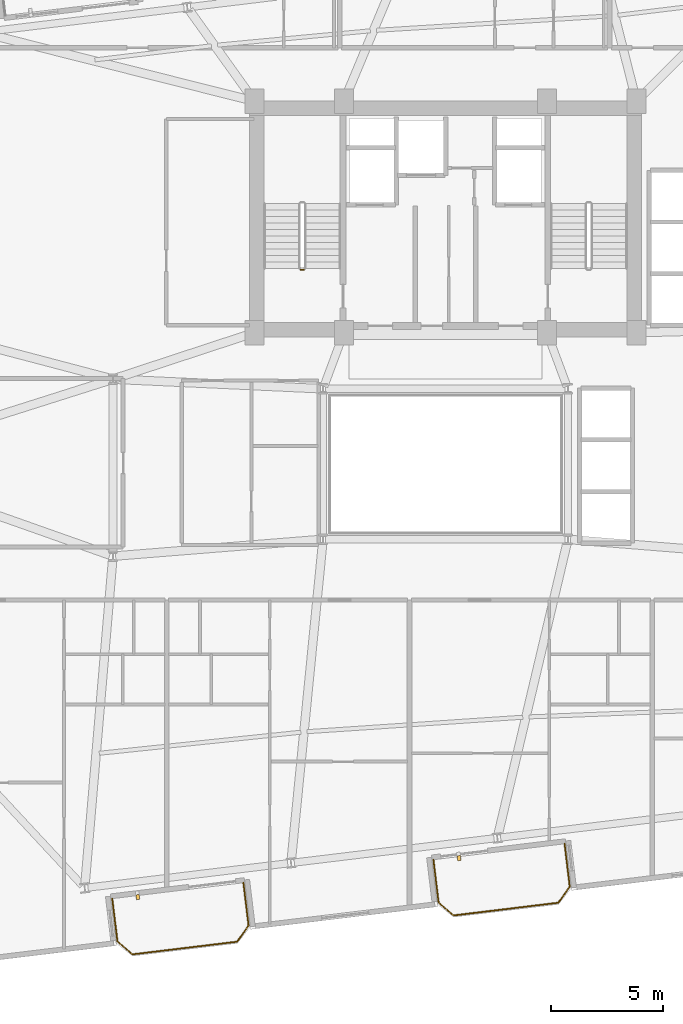
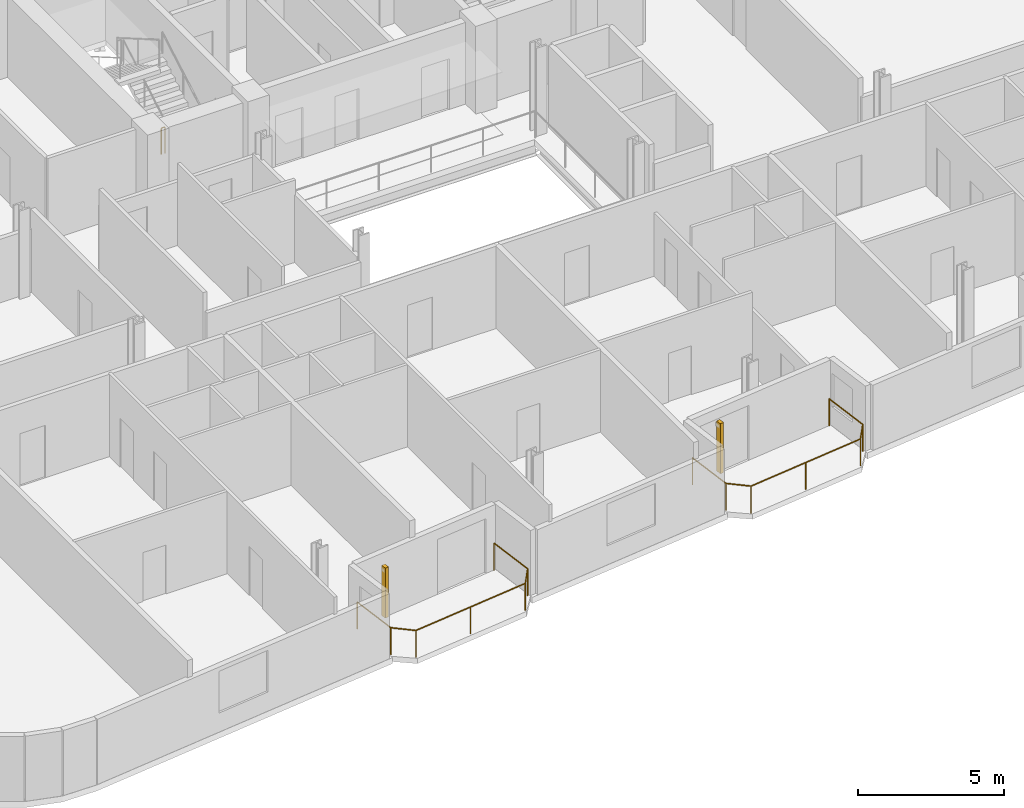
# One storey, part 20 of 23: 3 railings, 2 shading devices.
"""IFC4 building model written with IfcOpenShell, lengths in metres."""

from ifc_helpers import new_model, si_unit, direction, frame, origin, origin_2d, place, context, subcontext, project, spatial, rectangle, circle, extrude, source, transform, mapped, material, type_object, element, save


model = new_model("IFC4")

# Units and contexts
model_context = context("Model", 3, precision=1e-05, world=origin(), true_north=direction((0.0, 1.0)))
body_context = subcontext(model_context, "Body", "Model", "MODEL_VIEW")
ifc_project = project(units=[si_unit("LENGTHUNIT", "METRE"), si_unit("AREAUNIT", "SQUARE_METRE"), si_unit("VOLUMEUNIT", "CUBIC_METRE"), si_unit("PLANEANGLEUNIT", "RADIAN"), si_unit("MASSUNIT", "GRAM", prefix="KILO")], contexts=[model_context])

# Site, building, storey
site_placement = place(None, origin())
site = spatial("IfcSite", under=ifc_project, at=site_placement, CompositionType="ELEMENT")
building_placement = place(site_placement, origin())
building = spatial("IfcBuilding", under=site, at=building_placement, Name="Varnelok Gate Tower", CompositionType="ELEMENT")
storey_placement = place(building_placement, frame((0.0, 0.0, 170.89990234375)))
storey = spatial("IfcBuildingStorey", under=building, at=storey_placement, Name="L43", CompositionType="ELEMENT", Elevation=170.89990234375)

# Railings
ifc_material_1 = material(Name="Low-E Laminated Double Glazing IGU", Category="glass")
railing_type_1 = type_object("IfcRailingType", Name="RL-BALC-1150", PredefinedType="BALUSTRADE", material=ifc_material_1)
railing_1_placement = place(storey_placement, frame((24.368896484375, 3.55712890625, 0.0)))
element("IfcRailing", 1, at=railing_1_placement, inside=storey, type_object=railing_type_1, Name="L43 South Terrace Balustrade 1", PredefinedType="BALUSTRADE", context=body_context, shape_type="SweptSolid", body=[
    extrude(circle(Radius=0.02392578125, at=origin_2d()), frame((0.0, 0.0, 1.1259765625), z_axis=(0.120293392036, -0.992738384386, 0.0), x_axis=(0.992738384386, 0.120293392036, 0.0)), (0.0, 0.0, 1.0), 1.919921875),
    extrude(circle(Radius=0.02392578125, at=origin_2d()), frame((0.23095703125, -1.906005859375, 1.1259765625), z_axis=(0.756422670136, -0.654083132411, 0.0), x_axis=(0.654083132411, 0.756422670136, 0.0)), (0.0, 0.0, 1.0), 0.8779296875),
    extrude(circle(Radius=0.02392578125, at=origin_2d()), frame((0.89501953125, -2.480224609375, 1.1259765625), z_axis=(0.992736790351, 0.120306546306, 0.0), x_axis=(-0.120306546306, 0.992736790351, 0.0)), (0.0, 0.0, 1.0), 4.699951171875),
    extrude(circle(Radius=0.02392578125, at=origin_2d()), frame((5.560791015625, -1.914794921875, 1.1259765625), z_axis=(0.57815621837, 0.815926091726, 0.0), x_axis=(-0.815926091726, 0.57815621837, 0.0)), (0.0, 0.0, 1.0), 0.8779296875),
    extrude(circle(Radius=0.02392578125, at=origin_2d()), frame((6.068359375, -1.198486328125, 1.1259765625), z_axis=(-0.12040351024, 0.992725034802, 0.0), x_axis=(-0.992725034802, -0.12040351024, 0.0)), (0.0, 0.0, 1.0), 1.920166015625),
    extrude(circle(Radius=0.02099609375, at=origin_2d()), origin(), (0.0, 0.0, 1.0), 1.101806640625),
    extrude(circle(Radius=0.02099609375, at=origin_2d()), frame((0.23095703125, -1.906005859375, 0.0)), (0.0, 0.0, 1.0), 1.101806640625),
    extrude(circle(Radius=0.02099609375, at=origin_2d()), frame((0.89501953125, -2.480224609375, 0.0)), (0.0, 0.0, 1.0), 1.101806640625),
    extrude(circle(Radius=0.02099609375, at=origin_2d()), frame((3.22802734375, -2.197509765625, 0.0)), (0.0, 0.0, 1.0), 1.101806640625),
    extrude(circle(Radius=0.02099609375, at=origin_2d()), frame((5.560791015625, -1.914794921875, 0.0)), (0.0, 0.0, 1.0), 1.101806640625),
    extrude(circle(Radius=0.02099609375, at=origin_2d()), frame((6.068359375, -1.198486328125, 0.0)), (0.0, 0.0, 1.0), 1.101806640625),
    extrude(circle(Radius=0.02099609375, at=origin_2d()), frame((5.837158203125, 0.707763671875, 0.0)), (0.0, 0.0, 1.0), 1.101806640625),
])
railing_2_placement = place(storey_placement, frame((38.664306640625, 5.2900390625, 0.0)))
element("IfcRailing", 2, at=railing_2_placement, inside=storey, type_object=railing_type_1, Name="L43 South Terrace Balustrade 2", PredefinedType="BALUSTRADE", context=body_context, shape_type="SweptSolid", body=[
    extrude(circle(Radius=0.02392578125, at=origin_2d()), frame((0.0, 0.0, 1.1259765625), z_axis=(0.120293392036, -0.992738384386, 0.0), x_axis=(0.992738384386, 0.120293392036, 0.0)), (0.0, 0.0, 1.0), 1.919921875),
    extrude(circle(Radius=0.02392578125, at=origin_2d()), frame((0.23095703125, -1.906005859375, 1.1259765625), z_axis=(0.756303655992, -0.654220742513, 0.0), x_axis=(0.654220742513, 0.756303655992, 0.0)), (0.0, 0.0, 1.0), 0.877685546875),
    extrude(circle(Radius=0.02392578125, at=origin_2d()), frame((0.894775390625, -2.480224609375, 1.1259765625), z_axis=(0.99273133746, 0.120351533534, 0.0), x_axis=(-0.120351533534, 0.99273133746, 0.0)), (0.0, 0.0, 1.0), 4.7001953125),
    extrude(circle(Radius=0.02392578125, at=origin_2d()), frame((5.560791015625, -1.91455078125, 1.1259765625), z_axis=(0.577971037086, 0.816057277579, 0.0), x_axis=(-0.816057277579, 0.577971037086, 0.0)), (0.0, 0.0, 1.0), 0.877685546875),
    extrude(circle(Radius=0.02392578125, at=origin_2d()), frame((6.068115234375, -1.1982421875, 1.1259765625), z_axis=(-0.120293392036, 0.992738384386, 0.0), x_axis=(-0.992738384386, -0.120293392036, 0.0)), (0.0, 0.0, 1.0), 1.919921875),
    extrude(circle(Radius=0.02099609375, at=origin_2d()), origin(), (0.0, 0.0, 1.0), 1.101806640625),
    extrude(circle(Radius=0.02099609375, at=origin_2d()), frame((0.23095703125, -1.906005859375, 0.0)), (0.0, 0.0, 1.0), 1.101806640625),
    extrude(circle(Radius=0.02099609375, at=origin_2d()), frame((0.894775390625, -2.480224609375, 0.0)), (0.0, 0.0, 1.0), 1.101806640625),
    extrude(circle(Radius=0.02099609375, at=origin_2d()), frame((3.227783203125, -2.197265625, 0.0)), (0.0, 0.0, 1.0), 1.101806640625),
    extrude(circle(Radius=0.02099609375, at=origin_2d()), frame((5.560791015625, -1.91455078125, 0.0)), (0.0, 0.0, 1.0), 1.101806640625),
    extrude(circle(Radius=0.02099609375, at=origin_2d()), frame((6.068115234375, -1.1982421875, 0.0)), (0.0, 0.0, 1.0), 1.101806640625),
    extrude(circle(Radius=0.02099609375, at=origin_2d()), frame((5.837158203125, 0.707763671875, 0.0)), (0.0, 0.0, 1.0), 1.101806640625),
])
ifc_material_2 = material(Name="Galvanized Steel Grade S350GD", Category="steel")
railing_type_2 = type_object("IfcRailingType", Name="RL-STAIR-GUARD1120", PredefinedType="GUARDRAIL", material=ifc_material_2)
railing_3_placement = place(storey_placement, frame((32.89990234375, 31.550048828125, 0.0)))
element("IfcRailing", 3, at=railing_3_placement, inside=storey, type_object=railing_type_2, Name="L43 ST-1 stair guard 4", PredefinedType="GUARDRAIL", context=body_context, shape_type="SweptSolid", body=[
    extrude(circle(Radius=0.02392578125, at=origin_2d()), frame((0.0, 0.0, 1.09619140625), z_axis=(-1.0, 0.0, 0.0), x_axis=(0.0, -1.0, 0.0)), (0.0, 0.0, 1.0), 0.14990234375),
    extrude(circle(Radius=0.02099609375, at=origin_2d()), origin(), (0.0, 0.0, 1.0), 1.072021484375),
    extrude(circle(Radius=0.02099609375, at=origin_2d()), frame((-0.14990234375, 0.0, 0.0)), (0.0, 0.0, 1.0), 1.072021484375),
])

# Shading devices
ifc_material_3 = material(Name="Glazed Architectural Terracotta Ceramic", Category="masonry")
shading_device_type = type_object("IfcShadingDeviceType", Name="SHD-TERRA-FIN", PredefinedType="USERDEFINED", material=ifc_material_3)
shared_shape = source(origin(), body_context, "Body", "SweptSolid", [
    extrude(rectangle(XDim=0.139892578125, YDim=0.219970703125, at=origin_2d()), origin(), (0.0, 0.0, 1.0), 2.10009765625),
])
for number, where, z_axis, x_axis, name in (
    (4, (25.509033203125, 3.624755859375, 0.10009765625), (0.0, 0.0, 1.0), (0.992732158755, 0.12034475881, 0.0), "L43 Terracotta Ceramic Baguette Sunscreen 1.1"),
    (5, (39.80419921875, 5.35791015625, 0.10009765625), (0.0, 0.0, 1.0), (0.992732158755, 0.12034475881, 0.0), "L43 Terracotta Ceramic Baguette Sunscreen 2.1"),
):
    element("IfcShadingDevice", number, at=place(storey_placement, frame(where, z_axis=z_axis, x_axis=x_axis)), inside=storey, type_object=shading_device_type, Name=name, ObjectType="BAGUETTE", PredefinedType="USERDEFINED", context=body_context, shape_type="MappedRepresentation", body=[
        mapped(shared_shape, transform((0.0, 0.0, 0.0), scale=1.0)),
    ])

save(model, "model.ifc")
